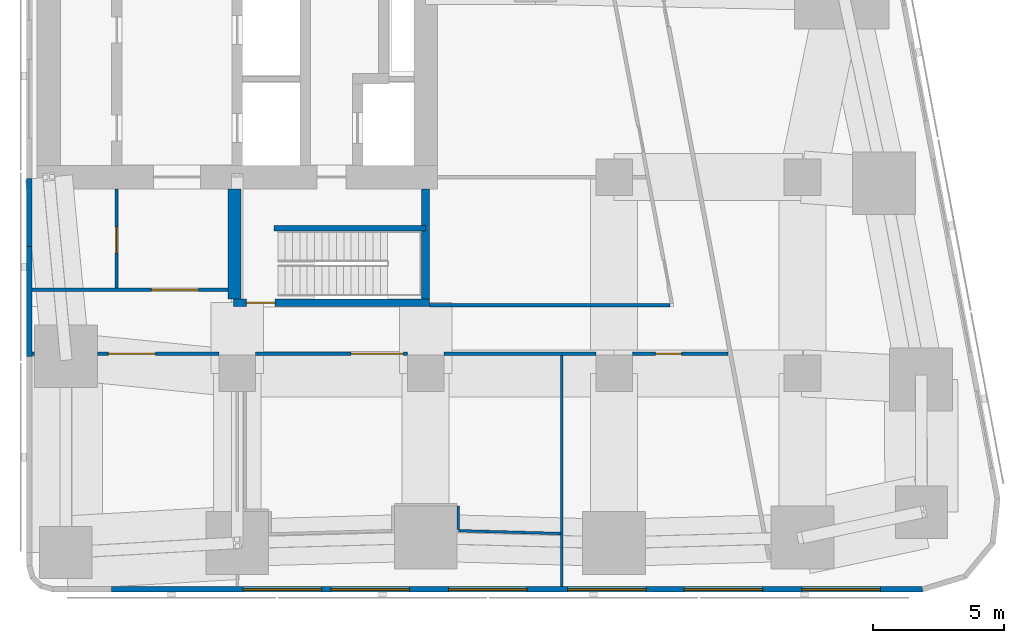
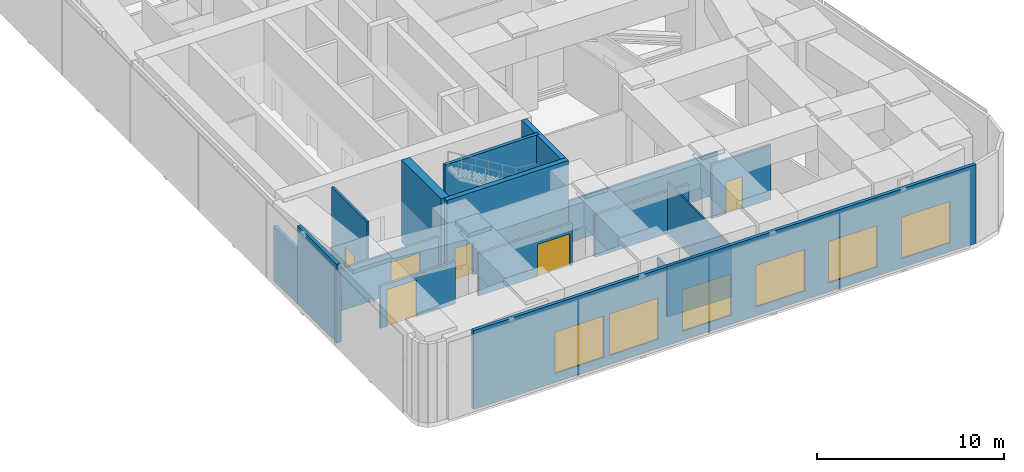
# One storey, part 4 of 9: 18 walls, 6 doors, 6 windows, 12 openings.
"""IFC4 building model written with IfcOpenShell, lengths in metres."""

import ifcopenshell
import ifcopenshell.guid

model = None  # the IFC model being written
_history = None  # IfcOwnerHistory: only IFC2X3 demands one
_inside = {}  # id of a spatial element -> (the spatial element, [elements in it])
_under = {}  # id of a project, library or spatial element -> (it, [spatial elements below it])
_declared = {}  # id of a project -> (the project, [libraries it declares])
_typed = {}  # id of a type object -> (the type object, [elements of that type])
_made_of = {}  # id of a material, layer set ... -> (it, [elements and type objects made of it])


def new_model(schema):
    """Start an empty IFC model of exactly this schema.

    Asked for "IFC4X3", IfcOpenShell would pick the latest addendum, in which some entities
    have other attributes; the version numbers below select the first issue.
    IFC2X3 requires an IfcOwnerHistory on every rooted entity: one is made here for all.
    """
    global model, _history
    if schema == "IFC4X3":
        model = ifcopenshell.file(schema_version=(4, 3, 0, 0))
    else:
        model = ifcopenshell.file(schema=schema)
    _inside.clear()
    _under.clear()
    _declared.clear()
    _typed.clear()
    _made_of.clear()
    _history = None
    if model.schema == "IFC2X3":
        org = make("IfcOrganization", Name="unknown")
        user = make(
            "IfcPersonAndOrganization",
            ThePerson=make("IfcPerson", FamilyName="unknown"),
            TheOrganization=org,
        )
        app = make(
            "IfcApplication",
            ApplicationDeveloper=org,
            Version="unknown",
            ApplicationFullName="unknown",
            ApplicationIdentifier="unknown",
        )
        _history = make(
            "IfcOwnerHistory",
            OwningUser=user,
            OwningApplication=app,
            ChangeAction="ADDED",
            CreationDate=0,
        )
    return model


def make(cls, **values):
    """One entity of the class cls with the attributes given. An attribute that is None is left unset."""
    return model.create_entity(
        cls, **{name: value for name, value in values.items() if value is not None}
    )


def rooted(cls, **values):
    """An entity with a GlobalId (a new one), such as an element, a storey or a relation."""
    return make(cls, GlobalId=ifcopenshell.guid.new(), OwnerHistory=_history, **values)


def si_unit(unit_type, name, prefix=None):
    """IfcSIUnit, for example si_unit("LENGTHUNIT", "METRE", prefix="MILLI")."""
    return make("IfcSIUnit", UnitType=unit_type, Prefix=prefix, Name=name)


def assignment(units):
    """IfcUnitAssignment: the units of a project."""
    return None if units is None else make("IfcUnitAssignment", Units=units)


def point(xyz):
    """IfcCartesianPoint."""
    return None if xyz is None else make("IfcCartesianPoint", Coordinates=xyz)


def direction(xyz):
    """IfcDirection."""
    return None if xyz is None else make("IfcDirection", DirectionRatios=xyz)


def frame(location, z_axis=None, x_axis=None):
    """IfcAxis2Placement3D, a coordinate frame: its origin and axes. An axis left out is left unset."""
    return make(
        "IfcAxis2Placement3D",
        Location=point(location),
        Axis=direction(z_axis),
        RefDirection=direction(x_axis),
    )


def frame_2d(location, x_axis=None):
    """IfcAxis2Placement2D, a coordinate frame in the plane: its origin and x axis."""
    return make(
        "IfcAxis2Placement2D", Location=point(location), RefDirection=direction(x_axis)
    )


def origin():
    """The frame at (0, 0, 0) with its axes left unset."""
    return frame((0.0, 0.0, 0.0))


def place(relative_to, where):
    """IfcLocalPlacement: puts the frame where relative to a parent placement (None: the world)."""
    return make(
        "IfcLocalPlacement", PlacementRelTo=relative_to, RelativePlacement=where
    )


def context(
    kind, dimensions, precision=None, world=None, true_north=None, identifier=None
):
    """IfcGeometricRepresentationContext, for example the 3D "Model" context."""
    return make(
        "IfcGeometricRepresentationContext",
        ContextIdentifier=identifier,
        ContextType=kind,
        CoordinateSpaceDimension=dimensions,
        Precision=precision,
        WorldCoordinateSystem=world,
        TrueNorth=true_north,
    )


def subcontext(parent, identifier, kind, view, scale=None):
    """IfcGeometricRepresentationSubContext, for example "Body" below "Model"."""
    return make(
        "IfcGeometricRepresentationSubContext",
        ContextIdentifier=identifier,
        ContextType=kind,
        ParentContext=parent,
        TargetScale=scale,
        TargetView=view,
    )


def project(units=None, contexts=None):
    """IfcProject with its units and contexts."""
    return rooted(
        "IfcProject",
        Name="project",
        RepresentationContexts=contexts,
        UnitsInContext=assignment(units),
    )


def spatial(cls, under=None, at=None, **own):
    """A site, building, storey or space (cls), placed at a placement, below another one or the project."""
    s = rooted(cls, ObjectPlacement=at, **own)
    if under is not None:
        _under.setdefault(under.id(), (under, []))[1].append(s)
    return s


def profile(cls, at=None, kind="AREA", **sizes):
    """A parametric profile (cls). Its sizes go by their IFC names, for example OverallWidth=200.0."""
    return make(cls, ProfileType=kind, Position=at, **sizes)


def rectangle(**sizes):
    """IfcRectangleProfileDef."""
    return profile("IfcRectangleProfileDef", **sizes)


def extrude(swept, where, along, depth):
    """IfcExtrudedAreaSolid: the profile swept, set in the frame where, extruded along a direction by depth."""
    return make(
        "IfcExtrudedAreaSolid",
        SweptArea=swept,
        Position=where,
        ExtrudedDirection=direction(along),
        Depth=depth,
    )


def shape(context_of_items, identifier, shape_type, items):
    """IfcShapeRepresentation: the items that make up one representation, for example the "Body"."""
    return make(
        "IfcShapeRepresentation",
        ContextOfItems=context_of_items,
        RepresentationIdentifier=identifier,
        RepresentationType=shape_type,
        Items=items,
    )


def material(Name=None, Category=None):
    """IfcMaterial."""
    return make("IfcMaterial", Name=Name, Category=Category)


def layer(
    of_material, thickness, ventilated=None, Name=None, Category=None, Priority=None
):
    """IfcMaterialLayer: one layer of a wall or slab, of a material (None: an air gap)."""
    return make(
        "IfcMaterialLayer",
        Material=of_material,
        LayerThickness=thickness,
        IsVentilated=ventilated,
        Name=Name,
        Category=Category,
        Priority=Priority,
    )


def layer_set(layers, Name=None):
    """IfcMaterialLayerSet."""
    return make("IfcMaterialLayerSet", MaterialLayers=layers, LayerSetName=Name)


def made_of(thing, what):
    """Note that an element or type object is made of a material, layer set ...; save() writes the relation."""
    if what is not None:
        _made_of.setdefault(what.id(), (what, []))[1].append(thing)
    return thing


def type_object(cls, material=None, **own):
    """A type object (cls), such as IfcWallType, which elements share."""
    return made_of(rooted(cls, **own), material)


def element(
    cls,
    number,
    at=None,
    inside=None,
    cuts=None,
    type_object=None,
    material=None,
    context=None,
    identifier="Body",
    shape_type=None,
    held_by="IfcProductDefinitionShape",
    body=None,
    shapes=None,
    **own,
):
    """One element of the class cls, such as IfcWall. Its Tag is "e" and its number.

    at: its placement. inside: the storey or other place that contains it. cuts: it is an
    opening in that element (IfcRelVoidsElement). A single representation is given by context,
    identifier, shape_type and body (its items); several are given by shapes. held_by: the class
    of the entity that holds the representations. save() writes the other relations.
    """
    e = rooted(cls, Tag="e%d" % number, ObjectPlacement=at, **own)
    if body is not None:
        shapes = [shape(context, identifier, shape_type, body)]
    if shapes is not None:
        e.Representation = make(held_by, Representations=shapes)
    if inside is not None:
        _inside.setdefault(inside.id(), (inside, []))[1].append(e)
    if cuts is not None:
        rooted(
            "IfcRelVoidsElement", RelatingBuildingElement=cuts, RelatedOpeningElement=e
        )
    if type_object is not None:
        _typed.setdefault(type_object.id(), (type_object, []))[1].append(e)
    return made_of(e, material)


def fill(opening, filler):
    """IfcRelFillsElement: the door or window that sits in an opening."""
    return rooted(
        "IfcRelFillsElement",
        RelatingOpeningElement=opening,
        RelatedBuildingElement=filler,
    )


def aggregate(whole, parts):
    """IfcRelAggregates: a whole, such as a stair, and the parts it consists of."""
    return rooted("IfcRelAggregates", RelatingObject=whole, RelatedObjects=parts)


def save(model, path):
    """Write the relations noted so far, then the file.

    IfcRelAggregates (storeys below a building ...), IfcRelContainedInSpatialStructure (elements
    in a storey), IfcRelDefinesByType, IfcRelAssociatesMaterial and IfcRelDeclares: one each for
    every whole, place, type object, material and project.
    """
    for whole, parts in _under.values():
        aggregate(whole, parts)
    for where, things in _inside.values():
        rooted(
            "IfcRelContainedInSpatialStructure",
            RelatedElements=things,
            RelatingStructure=where,
        )
    for kind, things in _typed.values():
        rooted("IfcRelDefinesByType", RelatedObjects=things, RelatingType=kind)
    for what, things in _made_of.values():
        rooted("IfcRelAssociatesMaterial", RelatedObjects=things, RelatingMaterial=what)
    for by, libraries in _declared.values():
        rooted("IfcRelDeclares", RelatingContext=by, RelatedDefinitions=libraries)
    model.write(path)


model = new_model("IFC4")

# Units and contexts
model_context = context("Model", 3, precision=1e-05, world=origin(), true_north=direction((0.0, 1.0)))
body_context = subcontext(model_context, "Body", "Model", "MODEL_VIEW")
ifc_project = project(units=[si_unit("LENGTHUNIT", "METRE"), si_unit("AREAUNIT", "SQUARE_METRE"), si_unit("VOLUMEUNIT", "CUBIC_METRE"), si_unit("PLANEANGLEUNIT", "RADIAN"), si_unit("MASSUNIT", "GRAM", prefix="KILO")], contexts=[model_context])

# Site, building, storey
site_placement = place(None, origin())
site = spatial("IfcSite", under=ifc_project, at=site_placement, CompositionType="ELEMENT")
building_placement = place(site_placement, origin())
building = spatial("IfcBuilding", under=site, at=building_placement, Name="Sheger Commons Tower", CompositionType="ELEMENT")
storey_placement = place(building_placement, frame((0.0, 0.0, 246.199951171875)))
storey = spatial("IfcBuildingStorey", under=building, at=storey_placement, Name="L63", CompositionType="ELEMENT", Elevation=246.199951171875)

# Wall, opening, door
ifc_material_1 = material(Name="Hollow concrete block masonry, skimmed both sides", Category="masonry")
ifc_layer_1 = layer(ifc_material_1, 0.14990234375)
ifc_layer_set_1 = layer_set([ifc_layer_1], Name="CORRIDOR WALL 150")
wall_type_1 = type_object("IfcWallType", Name="CORRIDOR WALL 150", PredefinedType="SOLIDWALL", material=ifc_layer_set_1)
wall_1_placement = place(storey_placement, frame((40.35498046875, 8.25, 0.0), z_axis=(0.0, 0.0, 1.0), x_axis=(-1.0, 0.0, 0.0)))
wall_1 = element("IfcWall", 1, at=wall_1_placement, inside=storey, type_object=wall_type_1, Name="Corridor wall L63", PredefinedType="SOLIDWALL", context=body_context, shape_type="SweptSolid", body=[
    extrude(rectangle(XDim=3.654052734375, YDim=0.14990234375, at=frame_2d((1.8271484375, 0.0))), origin(), (0.0, 0.0, 1.0), 3.550048828125),
])
opening_1_placement = place(wall_1_placement, frame((1.77294921875, 0.0, 0.0)))
opening_1 = element("IfcOpeningElement", 2, at=opening_1_placement, cuts=wall_1, Name="Opening D4", PredefinedType="OPENING", context=body_context, shape_type="SweptSolid", body=[
    extrude(rectangle(XDim=1.0, YDim=2.10009765625, at=frame_2d((0.5, 1.050048828125))), frame((0.0, 0.0849609375, 0.0), z_axis=(0.0, -1.0, 0.0), x_axis=(1.0, 0.0, 0.0)), (0.0, 0.0, 1.0), 0.169921875),
])
ifc_material_2 = material(Name="Steel door set, fire rated", Category="steel")
door_type_1 = type_object("IfcDoorType", Name="SERVICE DOOR 1000x2100", OperationType="NOTDEFINED", PredefinedType="DOOR", material=ifc_material_2)
door_1_placement = place(opening_1_placement, origin())
door_1 = element("IfcDoor", 3, at=door_1_placement, inside=storey, type_object=door_type_1, Name="Refuge area door", OperationType="SINGLE_SWING_RIGHT", OverallHeight=2.10009765625, OverallWidth=1.0, PredefinedType="DOOR", context=body_context, shape_type="SweptSolid", body=[
    extrude(rectangle(XDim=1.0, YDim=2.10009765625, at=frame_2d((0.5, 1.050048828125))), frame((0.0, 0.02490234375, 0.0), z_axis=(0.0, -1.0, 0.0), x_axis=(1.0, 0.0, 0.0)), (0.0, 0.0, 1.0), 0.050048828125),
])
fill(opening_1, door_1)

# Wall
wall_2_placement = place(storey_placement, frame((35.299072265625, 8.25, 0.0), z_axis=(0.0, 0.0, 1.0), x_axis=(-1.0, 0.0, 0.0)))
element("IfcWall", 4, at=wall_2_placement, inside=storey, type_object=wall_type_1, Name="Corridor wall L63", PredefinedType="SOLIDWALL", context=body_context, shape_type="SweptSolid", body=[
    extrude(rectangle(XDim=5.798095703125, YDim=0.14990234375, at=frame_2d((2.89892578125, 0.0))), origin(), (0.0, 0.0, 1.0), 2.75),
])

# Wall, opening, door
wall_3_placement = place(storey_placement, frame((28.09912109375, 8.25, 0.0), z_axis=(0.0, 0.0, 1.0), x_axis=(-1.0, 0.0, 0.0)))
wall_3 = element("IfcWall", 5, at=wall_3_placement, inside=storey, type_object=wall_type_1, Name="Corridor wall L63", PredefinedType="SOLIDWALL", context=body_context, shape_type="SweptSolid", body=[
    extrude(rectangle(XDim=5.798095703125, YDim=0.14990234375, at=frame_2d((2.89892578125, 0.0))), origin(), (0.0, 0.0, 1.0), 2.75),
])
opening_2_placement = place(wall_3_placement, frame((0.14990234375, 0.0, 0.0)))
opening_2 = element("IfcOpeningElement", 6, at=opening_2_placement, cuts=wall_3, Name="Opening D8", PredefinedType="OPENING", context=body_context, shape_type="SweptSolid", body=[
    extrude(rectangle(XDim=2.0, YDim=2.10009765625, at=frame_2d((1.0, 1.050048828125))), frame((0.0, 0.0849609375, 0.0), z_axis=(0.0, -1.0, 0.0), x_axis=(1.0, 0.0, 0.0)), (0.0, 0.0, 1.0), 0.169921875),
])
ifc_material_3 = material(Name="Steel door set, fire rated", Category="steel")
door_type_2 = type_object("IfcDoorType", Name="COMMUNITY HALL DOUBLE DOOR 2000x2100", OperationType="DOUBLE_DOOR_SINGLE_SWING", PredefinedType="DOOR", material=ifc_material_3)
door_2_placement = place(opening_2_placement, origin())
door_2 = element("IfcDoor", 7, at=door_2_placement, inside=storey, type_object=door_type_2, Name="Community hall door", OperationType="DOUBLE_DOOR_SINGLE_SWING", OverallHeight=2.10009765625, OverallWidth=2.0, PredefinedType="DOOR", context=body_context, shape_type="SweptSolid", body=[
    extrude(rectangle(XDim=2.0, YDim=2.10009765625, at=frame_2d((1.0, 1.050048828125))), frame((0.0, 0.02490234375, 0.0), z_axis=(0.0, -1.0, 0.0), x_axis=(1.0, 0.0, 0.0)), (0.0, 0.0, 1.0), 0.050048828125),
])
fill(opening_2, door_2)

wall_4_placement = place(storey_placement, frame((20.89892578125, 8.25, 0.0), z_axis=(0.0, 0.0, 1.0), x_axis=(-1.0, 0.0, 0.0)))
wall_4 = element("IfcWall", 8, at=wall_4_placement, inside=storey, type_object=wall_type_1, Name="Corridor wall L63", PredefinedType="SOLIDWALL", context=body_context, shape_type="SweptSolid", body=[
    extrude(rectangle(XDim=4.64404296875, YDim=0.14990234375, at=frame_2d((2.322021484375, 0.0))), origin(), (0.0, 0.0, 1.0), 2.75),
])
opening_3_placement = place(wall_4_placement, frame((2.424072265625, 0.0, 0.0)))
opening_3 = element("IfcOpeningElement", 9, at=opening_3_placement, cuts=wall_4, Name="Opening D7", PredefinedType="OPENING", context=body_context, shape_type="SweptSolid", body=[
    extrude(rectangle(XDim=1.800048828125, YDim=2.39990234375, at=frame_2d((0.89990234375, 1.199951171875))), frame((0.0, 0.0849609375, 0.0), z_axis=(0.0, -1.0, 0.0), x_axis=(1.0, 0.0, 0.0)), (0.0, 0.0, 1.0), 0.169921875),
])
ifc_material_4 = material(Name="Steel door set, fire rated", Category="steel")
door_type_3 = type_object("IfcDoorType", Name="PLANT DOUBLE DOOR 1800x2400", OperationType="DOUBLE_DOOR_SINGLE_SWING", PredefinedType="DOOR", material=ifc_material_4)
door_3_placement = place(opening_3_placement, origin())
door_3 = element("IfcDoor", 10, at=door_3_placement, inside=storey, type_object=door_type_3, Name="Mechanical plant room door", OperationType="DOUBLE_DOOR_SINGLE_SWING", OverallHeight=2.39990234375, OverallWidth=1.800048828125, PredefinedType="DOOR", context=body_context, shape_type="SweptSolid", body=[
    extrude(rectangle(XDim=1.800048828125, YDim=2.39990234375, at=frame_2d((0.89990234375, 1.199951171875))), frame((0.0, 0.02490234375, 0.0), z_axis=(0.0, -1.0, 0.0), x_axis=(1.0, 0.0, 0.0)), (0.0, 0.0, 1.0), 0.050048828125),
])
fill(opening_3, door_3)

# Wall
wall_5_placement = place(storey_placement, frame((13.85302734375, 8.25, 0.0), z_axis=(0.0, 0.0, 1.0), x_axis=(-1.0, 0.0, 0.0)))
element("IfcWall", 11, at=wall_5_placement, inside=storey, type_object=wall_type_1, Name="Corridor wall L63", PredefinedType="SOLIDWALL", context=body_context, shape_type="SweptSolid", body=[
    extrude(rectangle(XDim=0.10302734375, YDim=0.14990234375, at=frame_2d((0.051513671875, 0.0))), origin(), (0.0, 0.0, 1.0), 3.35009765625),
])

# Wall, openings, windows
ifc_material_5 = material(Name="Rendered concrete block masonry, dark grey", Category="masonry")
ifc_layer_2 = layer(ifc_material_5, 0.199951171875)
ifc_layer_set_2 = layer_set([ifc_layer_2], Name="FACADE WALL 200")
wall_type_2 = type_object("IfcWallType", Name="FACADE WALL 200", PredefinedType="SOLIDWALL", material=ifc_layer_set_2)
wall_6_placement = place(storey_placement, frame((16.787109375, -0.75, 0.0), z_axis=(0.0, 0.0, 1.0), x_axis=(1.0, 0.0, 0.0)))
wall_6 = element("IfcWall", 12, at=wall_6_placement, inside=storey, type_object=wall_type_2, Name="Facade wall L63", PredefinedType="SOLIDWALL", context=body_context, shape_type="SweptSolid", body=[
    extrude(rectangle(XDim=31.00390625, YDim=0.199951171875, at=frame_2d((15.501953125, 0.0))), origin(), (0.0, 0.0, 1.0), 5.150146484375),
])
opening_4_placement = place(wall_6_placement, frame((5.0400390625, 0.0, 0.60009765625)))
opening_4 = element("IfcOpeningElement", 13, at=opening_4_placement, cuts=wall_6, Name="Opening LV2", PredefinedType="OPENING", context=body_context, shape_type="SweptSolid", body=[
    extrude(rectangle(XDim=3.0, YDim=2.699951171875, at=frame_2d((1.5, 1.35009765625))), frame((0.0, 0.10986328125, 0.0), z_axis=(0.0, -1.0, 0.0), x_axis=(1.0, 0.0, 0.0)), (0.0, 0.0, 1.0), 0.219970703125),
])
opening_5_placement = place(wall_6_placement, frame((8.389892578125, 0.0, 0.60009765625)))
opening_5 = element("IfcOpeningElement", 14, at=opening_5_placement, cuts=wall_6, Name="Opening LV2", PredefinedType="OPENING", context=body_context, shape_type="SweptSolid", body=[
    extrude(rectangle(XDim=3.0, YDim=2.699951171875, at=frame_2d((1.5, 1.35009765625))), frame((0.0, 0.10986328125, 0.0), z_axis=(0.0, -1.0, 0.0), x_axis=(1.0, 0.0, 0.0)), (0.0, 0.0, 1.0), 0.219970703125),
])
opening_6_placement = place(wall_6_placement, frame((12.889892578125, 0.0, 0.60009765625)))
opening_6 = element("IfcOpeningElement", 15, at=opening_6_placement, cuts=wall_6, Name="Opening LV2", PredefinedType="OPENING", context=body_context, shape_type="SweptSolid", body=[
    extrude(rectangle(XDim=3.0, YDim=2.699951171875, at=frame_2d((1.5, 1.35009765625))), frame((0.0, 0.10986328125, 0.0), z_axis=(0.0, -1.0, 0.0), x_axis=(1.0, 0.0, 0.0)), (0.0, 0.0, 1.0), 0.219970703125),
])
opening_7_placement = place(wall_6_placement, frame((17.43994140625, 0.0, 0.60009765625)))
opening_7 = element("IfcOpeningElement", 16, at=opening_7_placement, cuts=wall_6, Name="Opening LV2", PredefinedType="OPENING", context=body_context, shape_type="SweptSolid", body=[
    extrude(rectangle(XDim=3.0, YDim=2.699951171875, at=frame_2d((1.5, 1.35009765625))), frame((0.0, 0.10986328125, 0.0), z_axis=(0.0, -1.0, 0.0), x_axis=(1.0, 0.0, 0.0)), (0.0, 0.0, 1.0), 0.219970703125),
])
opening_8_placement = place(wall_6_placement, frame((21.889892578125, 0.0, 0.60009765625)))
opening_8 = element("IfcOpeningElement", 17, at=opening_8_placement, cuts=wall_6, Name="Opening LV2", PredefinedType="OPENING", context=body_context, shape_type="SweptSolid", body=[
    extrude(rectangle(XDim=3.0, YDim=2.699951171875, at=frame_2d((1.5, 1.35009765625))), frame((0.0, 0.10986328125, 0.0), z_axis=(0.0, -1.0, 0.0), x_axis=(1.0, 0.0, 0.0)), (0.0, 0.0, 1.0), 0.219970703125),
])
opening_9_placement = place(wall_6_placement, frame((26.389892578125, 0.0, 0.60009765625)))
opening_9 = element("IfcOpeningElement", 18, at=opening_9_placement, cuts=wall_6, Name="Opening LV2", PredefinedType="OPENING", context=body_context, shape_type="SweptSolid", body=[
    extrude(rectangle(XDim=3.0, YDim=2.699951171875, at=frame_2d((1.5, 1.35009765625))), frame((0.0, 0.10986328125, 0.0), z_axis=(0.0, -1.0, 0.0), x_axis=(1.0, 0.0, 0.0)), (0.0, 0.0, 1.0), 0.219970703125),
])
ifc_material_6 = material(Name="Black aluminium louvre", Category="aluminium")
window_type = type_object("IfcWindowType", Name="REFUGE FLOOR LOUVRE LV2 3000x2700", PartitioningType="SINGLE_PANEL", PredefinedType="USERDEFINED", material=ifc_material_6)
window_1_placement = place(opening_4_placement, origin())
window_1 = element("IfcWindow", 19, at=window_1_placement, inside=storey, type_object=window_type, Name="Refuge Floor Louvre Lv2 3000X2700", ObjectType="LOUVRE", OverallHeight=2.699951171875, OverallWidth=3.0, PartitioningType="SINGLE_PANEL", PredefinedType="USERDEFINED", context=body_context, shape_type="SweptSolid", body=[
    extrude(rectangle(XDim=3.0, YDim=2.699951171875, at=frame_2d((1.5, 1.35009765625))), frame((0.0, 0.030029296875, 0.0), z_axis=(0.0, -1.0, 0.0), x_axis=(1.0, 0.0, 0.0)), (0.0, 0.0, 1.0), 0.06005859375),
])
fill(opening_4, window_1)
window_2_placement = place(opening_5_placement, origin())
window_2 = element("IfcWindow", 20, at=window_2_placement, inside=storey, type_object=window_type, Name="Refuge Floor Louvre Lv2 3000X2700", ObjectType="LOUVRE", OverallHeight=2.699951171875, OverallWidth=3.0, PartitioningType="SINGLE_PANEL", PredefinedType="USERDEFINED", context=body_context, shape_type="SweptSolid", body=[
    extrude(rectangle(XDim=3.0, YDim=2.699951171875, at=frame_2d((1.5, 1.35009765625))), frame((0.0, 0.030029296875, 0.0), z_axis=(0.0, -1.0, 0.0), x_axis=(1.0, 0.0, 0.0)), (0.0, 0.0, 1.0), 0.06005859375),
])
fill(opening_5, window_2)
window_3_placement = place(opening_6_placement, origin())
window_3 = element("IfcWindow", 21, at=window_3_placement, inside=storey, type_object=window_type, Name="Refuge Floor Louvre Lv2 3000X2700", ObjectType="LOUVRE", OverallHeight=2.699951171875, OverallWidth=3.0, PartitioningType="SINGLE_PANEL", PredefinedType="USERDEFINED", context=body_context, shape_type="SweptSolid", body=[
    extrude(rectangle(XDim=3.0, YDim=2.699951171875, at=frame_2d((1.5, 1.35009765625))), frame((0.0, 0.030029296875, 0.0), z_axis=(0.0, -1.0, 0.0), x_axis=(1.0, 0.0, 0.0)), (0.0, 0.0, 1.0), 0.06005859375),
])
fill(opening_6, window_3)
window_4_placement = place(opening_7_placement, origin())
window_4 = element("IfcWindow", 22, at=window_4_placement, inside=storey, type_object=window_type, Name="Refuge Floor Louvre Lv2 3000X2700", ObjectType="LOUVRE", OverallHeight=2.699951171875, OverallWidth=3.0, PartitioningType="SINGLE_PANEL", PredefinedType="USERDEFINED", context=body_context, shape_type="SweptSolid", body=[
    extrude(rectangle(XDim=3.0, YDim=2.699951171875, at=frame_2d((1.5, 1.35009765625))), frame((0.0, 0.030029296875, 0.0), z_axis=(0.0, -1.0, 0.0), x_axis=(1.0, 0.0, 0.0)), (0.0, 0.0, 1.0), 0.06005859375),
])
fill(opening_7, window_4)
window_5_placement = place(opening_8_placement, origin())
window_5 = element("IfcWindow", 23, at=window_5_placement, inside=storey, type_object=window_type, Name="Refuge Floor Louvre Lv2 3000X2700", ObjectType="LOUVRE", OverallHeight=2.699951171875, OverallWidth=3.0, PartitioningType="SINGLE_PANEL", PredefinedType="USERDEFINED", context=body_context, shape_type="SweptSolid", body=[
    extrude(rectangle(XDim=3.0, YDim=2.699951171875, at=frame_2d((1.5, 1.35009765625))), frame((0.0, 0.030029296875, 0.0), z_axis=(0.0, -1.0, 0.0), x_axis=(1.0, 0.0, 0.0)), (0.0, 0.0, 1.0), 0.06005859375),
])
fill(opening_8, window_5)
window_6_placement = place(opening_9_placement, origin())
window_6 = element("IfcWindow", 24, at=window_6_placement, inside=storey, type_object=window_type, Name="Refuge Floor Louvre Lv2 3000X2700", ObjectType="LOUVRE", OverallHeight=2.699951171875, OverallWidth=3.0, PartitioningType="SINGLE_PANEL", PredefinedType="USERDEFINED", context=body_context, shape_type="SweptSolid", body=[
    extrude(rectangle(XDim=3.0, YDim=2.699951171875, at=frame_2d((1.5, 1.35009765625))), frame((0.0, 0.030029296875, 0.0), z_axis=(0.0, -1.0, 0.0), x_axis=(1.0, 0.0, 0.0)), (0.0, 0.0, 1.0), 0.06005859375),
])
fill(opening_9, window_6)

# Walls
wall_7_placement = place(storey_placement, frame((13.64990234375, 14.93798828125, 0.0), z_axis=(0.0, 0.0, 1.0), x_axis=(0.0, -1.0, 0.0)))
element("IfcWall", 25, at=wall_7_placement, inside=storey, type_object=wall_type_2, Name="Facade wall L63", PredefinedType="SOLIDWALL", context=body_context, shape_type="SweptSolid", body=[
    extrude(rectangle(XDim=2.597900390625, YDim=0.199951171875, at=frame_2d((1.298828125, 0.0))), origin(), (0.0, 0.0, 1.0), 3.550048828125),
])
wall_8_placement = place(storey_placement, frame((13.64990234375, 12.340087890625, 0.0), z_axis=(0.0, 0.0, 1.0), x_axis=(0.0, -1.0, 0.0)))
element("IfcWall", 26, at=wall_8_placement, inside=storey, type_object=wall_type_2, Name="Facade wall L63", PredefinedType="SOLIDWALL", context=body_context, shape_type="SweptSolid", body=[
    extrude(rectangle(XDim=4.18603515625, YDim=0.199951171875, at=frame_2d((2.093017578125, 0.0))), origin(), (0.0, 0.0, 1.0), 5.150146484375),
])
ifc_material_7 = material(Name="Gypsum board on steel studs", Category="steel")
ifc_layer_3 = layer(ifc_material_7, 0.10009765625)
ifc_layer_set_3 = layer_set([ifc_layer_3], Name="PARTITION 100")
wall_type_3 = type_object("IfcWallType", Name="PARTITION 100", PredefinedType="PARTITIONING", material=ifc_layer_set_3)
wall_9_placement = place(storey_placement, frame((34.0, -0.64990234375, 0.0), z_axis=(0.0, 0.0, 1.0), x_axis=(0.0, 1.0, 0.0)))
element("IfcWall", 27, at=wall_9_placement, inside=storey, type_object=wall_type_3, Name="Partition L63", PredefinedType="PARTITIONING", context=body_context, shape_type="SweptSolid", body=[
    extrude(rectangle(XDim=8.824951171875, YDim=0.10009765625, at=frame_2d((4.41259765625, 0.0))), origin(), (0.0, 0.0, 1.0), 3.35009765625),
])
wall_10_placement = place(storey_placement, frame((33.948974609375, 1.382080078125, 0.0), z_axis=(0.0, 0.0, 1.0), x_axis=(-0.999617214664, 0.027666299867, 0.0)))
element("IfcWall", 28, at=wall_10_placement, inside=storey, type_object=wall_type_3, Name="Partition L63", PredefinedType="PARTITIONING", context=body_context, shape_type="SweptSolid", body=[
    extrude(rectangle(XDim=3.900390625, YDim=0.10009765625, at=frame_2d((1.9501953125, 0.0))), origin(), (0.0, 0.0, 1.0), 3.35009765625),
])
wall_11_placement = place(storey_placement, frame((30.050048828125, 1.5400390625, 0.0), z_axis=(0.0, 0.0, 1.0), x_axis=(0.0, 1.0, 0.0)))
element("IfcWall", 29, at=wall_11_placement, inside=storey, type_object=wall_type_3, Name="Partition L63", PredefinedType="PARTITIONING", context=body_context, shape_type="SweptSolid", body=[
    extrude(rectangle(XDim=0.885009765625, YDim=0.10009765625, at=frame_2d((0.4423828125, 0.0))), origin(), (0.0, 0.0, 1.0), 3.35009765625),
])

# Wall, opening, door
ifc_material_8 = material(Name="Gypsum board on steel studs, two layers each side, fire rated", Category="steel")
ifc_layer_4 = layer(ifc_material_8, 0.125)
ifc_layer_set_4 = layer_set([ifc_layer_4], Name="SERVICE WALL 125")
wall_type_4 = type_object("IfcWallType", Name="SERVICE WALL 125", PredefinedType="PARTITIONING", material=ifc_layer_set_4)
wall_12_placement = place(storey_placement, frame((13.75, 10.699951171875, 0.0), z_axis=(0.0, 0.0, 1.0), x_axis=(1.0, 0.0, 0.0)))
wall_12 = element("IfcWall", 30, at=wall_12_placement, inside=storey, type_object=wall_type_4, Name="Service room wall L63", PredefinedType="PARTITIONING", context=body_context, shape_type="SweptSolid", body=[
    extrude(rectangle(XDim=7.5, YDim=0.125, at=frame_2d((3.75, 0.0))), origin(), (0.0, 0.0, 1.0), 2.75),
])
opening_10_placement = place(wall_12_placement, frame((4.570068359375, 0.0, 0.0)))
opening_10 = element("IfcOpeningElement", 31, at=opening_10_placement, cuts=wall_12, Name="Opening D6", PredefinedType="OPENING", context=body_context, shape_type="SweptSolid", body=[
    extrude(rectangle(XDim=1.800048828125, YDim=2.10009765625, at=frame_2d((0.89990234375, 1.050048828125))), frame((0.0, 0.072509765625, 0.0), z_axis=(0.0, -1.0, 0.0), x_axis=(1.0, 0.0, 0.0)), (0.0, 0.0, 1.0), 0.14501953125),
])
ifc_material_9 = material(Name="Steel door set, fire rated", Category="steel")
door_type_4 = type_object("IfcDoorType", Name="LOBBY DOUBLE DOOR 1800x2100", OperationType="DOUBLE_DOOR_SINGLE_SWING", PredefinedType="DOOR", material=ifc_material_9)
door_4_placement = place(opening_10_placement, origin())
door_4 = element("IfcDoor", 32, at=door_4_placement, inside=storey, type_object=door_type_4, Name="Lift lobby south door", OperationType="DOUBLE_DOOR_SINGLE_SWING", OverallHeight=2.10009765625, OverallWidth=1.800048828125, PredefinedType="DOOR", context=body_context, shape_type="SweptSolid", body=[
    extrude(rectangle(XDim=1.800048828125, YDim=2.10009765625, at=frame_2d((0.89990234375, 1.050048828125))), frame((0.0, 0.02490234375, 0.0), z_axis=(0.0, -1.0, 0.0), x_axis=(1.0, 0.0, 0.0)), (0.0, 0.0, 1.0), 0.050048828125),
])
fill(opening_10, door_4)

wall_13_placement = place(storey_placement, frame((16.989990234375, 10.761962890625, 0.0), z_axis=(0.0, 0.0, 1.0), x_axis=(0.0, 1.0, 0.0)))
wall_13 = element("IfcWall", 33, at=wall_13_placement, inside=storey, type_object=wall_type_4, Name="Service room wall L63", PredefinedType="PARTITIONING", context=body_context, shape_type="SweptSolid", body=[
    extrude(rectangle(XDim=3.7880859375, YDim=0.125, at=frame_2d((1.89404296875, 0.0))), origin(), (0.0, 0.0, 1.0), 5.150146484375),
])
opening_11_placement = place(wall_13_placement, frame((1.337890625, 0.0, 0.0)))
opening_11 = element("IfcOpeningElement", 34, at=opening_11_placement, cuts=wall_13, Name="Opening D4", PredefinedType="OPENING", context=body_context, shape_type="SweptSolid", body=[
    extrude(rectangle(XDim=1.0, YDim=2.10009765625, at=frame_2d((0.5, 1.050048828125))), frame((0.0, 0.072509765625, 0.0), z_axis=(0.0, -1.0, 0.0), x_axis=(1.0, 0.0, 0.0)), (0.0, 0.0, 1.0), 0.14501953125),
])
door_5_placement = place(opening_11_placement, origin())
door_5 = element("IfcDoor", 35, at=door_5_placement, inside=storey, type_object=door_type_1, Name="Electrical plant room door", OperationType="SINGLE_SWING_LEFT", OverallHeight=2.10009765625, OverallWidth=1.0, PredefinedType="DOOR", context=body_context, shape_type="SweptSolid", body=[
    extrude(rectangle(XDim=1.0, YDim=2.10009765625, at=frame_2d((0.5, 1.050048828125))), frame((0.0, 0.02490234375, 0.0), z_axis=(0.0, -1.0, 0.0), x_axis=(1.0, 0.0, 0.0)), (0.0, 0.0, 1.0), 0.050048828125),
])
fill(opening_11, door_5)

# Wall
wall_14_placement = place(storey_placement, frame((28.949951171875, 10.10009765625, 0.0), z_axis=(0.0, 0.0, 1.0), x_axis=(1.0, 0.0, 0.0)))
element("IfcWall", 36, at=wall_14_placement, inside=storey, type_object=wall_type_4, Name="Service room wall L63", PredefinedType="PARTITIONING", context=body_context, shape_type="SweptSolid", body=[
    extrude(rectangle(XDim=9.18798828125, YDim=0.125, at=frame_2d((4.593994140625, 0.0))), origin(), (0.0, 0.0, 1.0), 2.75),
])

# Wall, opening, door
ifc_material_10 = material(Name="Concrete C50/60", Category="concrete")
ifc_layer_5 = layer(ifc_material_10, 0.300048828125)
ifc_layer_set_5 = layer_set([ifc_layer_5], Name="STAIR CORE WALL 300")
wall_type_5 = type_object("IfcWallType", Name="STAIR CORE WALL 300", PredefinedType="SHEAR", material=ifc_layer_set_5)
wall_15_placement = place(storey_placement, frame((21.449951171875, 10.199951171875, 0.0), z_axis=(0.0, 0.0, 1.0), x_axis=(1.0, 0.0, 0.0)))
wall_15 = element("IfcWall", 37, at=wall_15_placement, inside=storey, type_object=wall_type_5, Name="STW-L63-S1S", PredefinedType="SHEAR", context=body_context, shape_type="SweptSolid", body=[
    extrude(rectangle(XDim=7.5, YDim=0.300048828125, at=frame_2d((3.75, 0.0))), origin(), (0.0, 0.0, 1.0), 5.400146484375),
])
opening_12_placement = place(wall_15_placement, frame((0.5, 0.0, 0.0)))
opening_12 = element("IfcOpeningElement", 38, at=opening_12_placement, cuts=wall_15, Name="Opening D5", PredefinedType="OPENING", context=body_context, shape_type="SweptSolid", body=[
    extrude(rectangle(XDim=1.10009765625, YDim=2.10009765625, at=frame_2d((0.550048828125, 1.050048828125))), frame((0.0, 0.159912109375, 0.0), z_axis=(0.0, -1.0, 0.0), x_axis=(1.0, 0.0, 0.0)), (0.0, 0.0, 1.0), 0.320068359375),
])
ifc_material_11 = material(Name="Steel door set, fire rated", Category="steel")
door_type_5 = type_object("IfcDoorType", Name="STAIR DOOR 1100x2100", OperationType="NOTDEFINED", PredefinedType="DOOR", material=ifc_material_11)
door_6_placement = place(opening_12_placement, origin())
door_6 = element("IfcDoor", 39, at=door_6_placement, inside=storey, type_object=door_type_5, Name="Stair S1 door", OperationType="SINGLE_SWING_LEFT", OverallHeight=2.10009765625, OverallWidth=1.10009765625, PredefinedType="DOOR", context=body_context, shape_type="SweptSolid", body=[
    extrude(rectangle(XDim=1.10009765625, YDim=2.10009765625, at=frame_2d((0.550048828125, 1.050048828125))), frame((0.0, 0.02490234375, 0.0), z_axis=(0.0, -1.0, 0.0), x_axis=(1.0, 0.0, 0.0)), (0.0, 0.0, 1.0), 0.050048828125),
])
fill(opening_12, door_6)

# Walls
wall_16_placement = place(storey_placement, frame((28.800048828125, 10.35009765625, 0.0), z_axis=(0.0, 0.0, 1.0), x_axis=(0.0, 1.0, 0.0)))
element("IfcWall", 40, at=wall_16_placement, inside=storey, type_object=wall_type_5, Name="STW-L63-S1E", PredefinedType="SHEAR", context=body_context, shape_type="SweptSolid", body=[
    extrude(rectangle(XDim=4.199951171875, YDim=0.300048828125, at=frame_2d((2.10009765625, 0.0))), origin(), (0.0, 0.0, 1.0), 5.400146484375),
])
ifc_material_12 = material(Name="Concrete C50/60", Category="concrete")
ifc_layer_6 = layer(ifc_material_12, 0.5)
ifc_layer_set_6 = layer_set([ifc_layer_6], Name="STAIR CORE WALL 500")
wall_type_6 = type_object("IfcWallType", Name="STAIR CORE WALL 500", PredefinedType="SHEAR", material=ifc_layer_set_6)
wall_17_placement = place(storey_placement, frame((21.5, 10.35009765625, 0.0), z_axis=(0.0, 0.0, 1.0), x_axis=(0.0, 1.0, 0.0)))
element("IfcWall", 41, at=wall_17_placement, inside=storey, type_object=wall_type_6, Name="STW-L63-S1W", PredefinedType="SHEAR", context=body_context, shape_type="SweptSolid", body=[
    extrude(rectangle(XDim=4.199951171875, YDim=0.5, at=frame_2d((2.10009765625, 0.0))), origin(), (0.0, 0.0, 1.0), 5.400146484375),
])
ifc_material_13 = material(Name="Concrete C50/60", Category="concrete")
ifc_layer_7 = layer(ifc_material_13, 0.199951171875)
ifc_layer_set_7 = layer_set([ifc_layer_7], Name="STAIR SPINE WALL 200")
wall_type_7 = type_object("IfcWallType", Name="STAIR SPINE WALL 200", PredefinedType="SHEAR", material=ifc_layer_set_7)
wall_18_placement = place(storey_placement, frame((23.0, 13.050048828125, 0.0), z_axis=(0.0, 0.0, 1.0), x_axis=(1.0, 0.0, 0.0)))
element("IfcWall", 42, at=wall_18_placement, inside=storey, type_object=wall_type_7, Name="Stair spine wall L63", PredefinedType="SHEAR", context=body_context, shape_type="SweptSolid", body=[
    extrude(rectangle(XDim=5.800048828125, YDim=0.199951171875, at=frame_2d((2.89990234375, 0.0))), origin(), (0.0, 0.0, 1.0), 5.400146484375),
])

save(model, "model.ifc")
